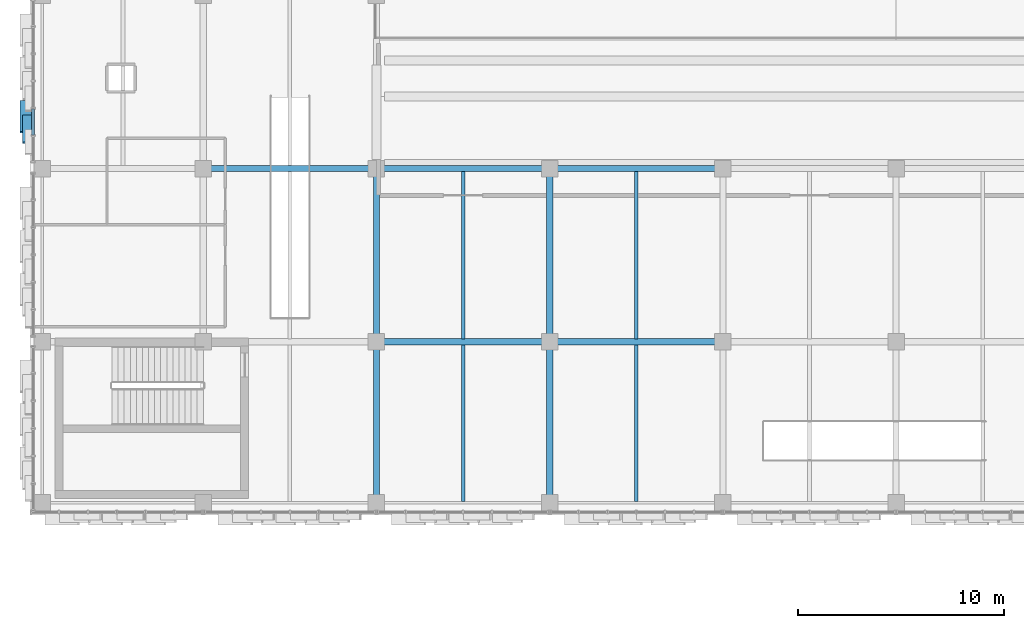
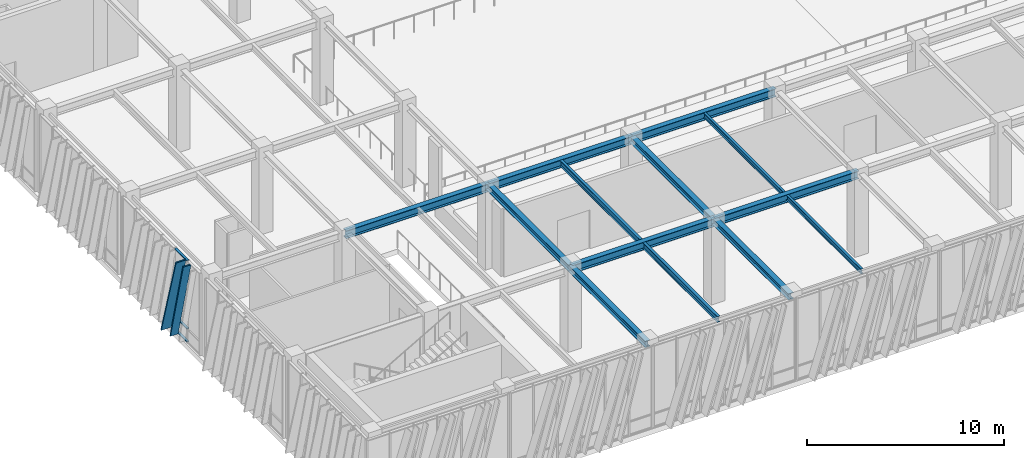
# One storey, part 39 of 139: 13 beams, 5 members, 1 element without a shape of its own.
"""IFC4 building model written with IfcOpenShell, lengths in metres."""

from ifc_helpers import new_model, si_unit, direction, frame, origin, origin_2d, place, context, subcontext, project, spatial, hollow_rectangle, i_section, extrude, material, layer, layer_set, material_profile, profile_set, type_object, element, aggregate, save


model = new_model("IFC4")

# Units and contexts
model_context = context("Model", 3, precision=1e-05, world=origin(), true_north=direction((0.0, 1.0)))
body_context = subcontext(model_context, "Body", "Model", "MODEL_VIEW")
ifc_project = project(units=[si_unit("LENGTHUNIT", "METRE"), si_unit("AREAUNIT", "SQUARE_METRE"), si_unit("VOLUMEUNIT", "CUBIC_METRE"), si_unit("PLANEANGLEUNIT", "RADIAN"), si_unit("MASSUNIT", "GRAM", prefix="KILO")], contexts=[model_context])

# Site, building, storey
site_placement = place(None, origin())
site = spatial("IfcSite", under=ifc_project, at=site_placement, CompositionType="ELEMENT")
building_placement = place(site_placement, origin())
building = spatial("IfcBuilding", under=site, at=building_placement, Name="Zayran Congress Hotel", CompositionType="ELEMENT")
storey_placement = place(building_placement, frame((0.0, 0.0, 5.39990234375)))
storey = spatial("IfcBuildingStorey", under=building, at=storey_placement, Name="L01", CompositionType="ELEMENT", Elevation=5.39990234375)

# Beams
ifc_material_1 = material(Name="Steel S355", Category="steel")
ifc_material_profile_1 = material_profile(ifc_material_1, i_section(OverallWidth=0.300048828125, OverallDepth=0.489990234375, WebThickness=0.011962890625, FlangeThickness=0.02294921875, at=origin_2d()), Name="HEA 500")
ifc_profile_set_1 = profile_set([ifc_material_profile_1], Name="Steel S355")
beam_type_1 = type_object("IfcBeamType", Name="TP-BM-05", PredefinedType="BEAM", material=ifc_profile_set_1)
beam_1_placement = place(storey_placement, frame((25.199951171875, 76.0, 4.835205078125), z_axis=(1.0, 0.0, 0.0), x_axis=(0.0, 1.0, 0.0)))
element("IfcBeam", 1, at=beam_1_placement, inside=storey, type_object=beam_type_1, Name="BM-V1-L01-0525", PredefinedType="BEAM", context=body_context, shape_type="SweptSolid", body=[
    extrude(i_section(OverallWidth=0.300048828125, OverallDepth=0.489990234375, WebThickness=0.011962890625, FlangeThickness=0.02294921875, at=origin_2d()), origin(), (0.0, 0.0, 1.0), 8.400146484375),
])
for number, where, z_axis, x_axis, name in (
    (2, (33.60009765625, 76.0, 4.835205078125), (1.0, 0.0, 0.0), (0.0, 1.0, 0.0), "BM-V1-L01-0526"),
    (3, (16.800048828125, 84.39990234375, 4.835205078125), (1.0, 0.0, 0.0), (0.0, 1.0, 0.0), "BM-V1-L01-0534"),
):
    element("IfcBeam", number, at=place(storey_placement, frame(where, z_axis=z_axis, x_axis=x_axis)), inside=storey, type_object=beam_type_1, Name=name, PredefinedType="BEAM", context=body_context, shape_type="SweptSolid", body=[
        extrude(i_section(OverallWidth=0.300048828125, OverallDepth=0.489990234375, WebThickness=0.011962890625, FlangeThickness=0.02294921875, at=origin_2d()), origin(), (0.0, 0.0, 1.0), 8.39990234375),
    ])
beam_2_placement = place(storey_placement, frame((25.199951171875, 84.39990234375, 4.835205078125), z_axis=(1.0, 0.0, 0.0), x_axis=(0.0, 1.0, 0.0)))
element("IfcBeam", 4, at=beam_2_placement, inside=storey, type_object=beam_type_1, Name="BM-V1-L01-0535", PredefinedType="BEAM", context=body_context, shape_type="SweptSolid", body=[
    extrude(i_section(OverallWidth=0.300048828125, OverallDepth=0.489990234375, WebThickness=0.011962890625, FlangeThickness=0.02294921875, at=origin_2d()), origin(), (0.0, 0.0, 1.0), 8.400146484375),
])
beam_3_placement = place(storey_placement, frame((33.60009765625, 84.39990234375, 4.835205078125), z_axis=(1.0, 0.0, 0.0), x_axis=(0.0, 1.0, 0.0)))
element("IfcBeam", 5, at=beam_3_placement, inside=storey, type_object=beam_type_1, Name="BM-V1-L01-0536", PredefinedType="BEAM", context=body_context, shape_type="SweptSolid", body=[
    extrude(i_section(OverallWidth=0.300048828125, OverallDepth=0.489990234375, WebThickness=0.011962890625, FlangeThickness=0.02294921875, at=origin_2d()), origin(), (0.0, 0.0, 1.0), 8.39990234375),
])
ifc_material_profile_2 = material_profile(ifc_material_1, i_section(OverallWidth=0.300048828125, OverallDepth=0.389892578125, WebThickness=0.010986328125, FlangeThickness=0.01904296875, at=origin_2d()), Name="HEA 400")
ifc_profile_set_2 = profile_set([ifc_material_profile_2], Name="Steel S355")
beam_type_2 = type_object("IfcBeamType", Name="TP-BM-06", PredefinedType="BEAM", material=ifc_profile_set_2)
beam_4_placement = place(storey_placement, frame((25.199951171875, 68.199951171875, 4.885009765625), z_axis=(0.0, 1.0, 0.0), x_axis=(-1.0, 0.0, 0.0)))
element("IfcBeam", 6, at=beam_4_placement, inside=storey, type_object=beam_type_2, Name="BM-V1-L01-0581", PredefinedType="BEAM", context=body_context, shape_type="SweptSolid", body=[
    extrude(i_section(OverallWidth=0.300048828125, OverallDepth=0.389892578125, WebThickness=0.010986328125, FlangeThickness=0.01904296875, at=origin_2d()), origin(), (0.0, 0.0, 1.0), 7.800048828125),
])
beam_5_placement = place(storey_placement, frame((25.199951171875, 76.0, 4.885009765625), z_axis=(0.0, 1.0, 0.0), x_axis=(-1.0, 0.0, 0.0)))
element("IfcBeam", 7, at=beam_5_placement, inside=storey, type_object=beam_type_2, Name="BM-V1-L01-0582", PredefinedType="BEAM", context=body_context, shape_type="SweptSolid", body=[
    extrude(i_section(OverallWidth=0.300048828125, OverallDepth=0.389892578125, WebThickness=0.010986328125, FlangeThickness=0.01904296875, at=origin_2d()), origin(), (0.0, 0.0, 1.0), 8.39990234375),
])
beam_6_placement = place(storey_placement, frame((33.60009765625, 68.199951171875, 4.885009765625), z_axis=(0.0, 1.0, 0.0), x_axis=(-1.0, 0.0, 0.0)))
element("IfcBeam", 8, at=beam_6_placement, inside=storey, type_object=beam_type_2, Name="BM-V1-L01-0587", PredefinedType="BEAM", context=body_context, shape_type="SweptSolid", body=[
    extrude(i_section(OverallWidth=0.300048828125, OverallDepth=0.389892578125, WebThickness=0.010986328125, FlangeThickness=0.01904296875, at=origin_2d()), origin(), (0.0, 0.0, 1.0), 7.800048828125),
])
beam_7_placement = place(storey_placement, frame((33.60009765625, 76.0, 4.885009765625), z_axis=(0.0, 1.0, 0.0), x_axis=(-1.0, 0.0, 0.0)))
element("IfcBeam", 9, at=beam_7_placement, inside=storey, type_object=beam_type_2, Name="BM-V1-L01-0588", PredefinedType="BEAM", context=body_context, shape_type="SweptSolid", body=[
    extrude(i_section(OverallWidth=0.300048828125, OverallDepth=0.389892578125, WebThickness=0.010986328125, FlangeThickness=0.01904296875, at=origin_2d()), origin(), (0.0, 0.0, 1.0), 8.39990234375),
])
ifc_material_profile_3 = material_profile(ifc_material_1, i_section(OverallWidth=0.169921875, OverallDepth=0.360107421875, WebThickness=0.008056640625, FlangeThickness=0.0126953125, at=origin_2d()), Name="IPE 360")
ifc_profile_set_3 = profile_set([ifc_material_profile_3], Name="Steel S355")
beam_type_3 = type_object("IfcBeamType", Name="TP-JS-04", PredefinedType="JOIST", material=ifc_profile_set_3)
beam_8_placement = place(storey_placement, frame((29.39990234375, 68.260009765625, 4.900146484375), z_axis=(0.0, 1.0, 0.0), x_axis=(-1.0, 0.0, 0.0)))
element("IfcBeam", 10, at=beam_8_placement, inside=storey, type_object=beam_type_3, Name="JST-V1-L01-0626", PredefinedType="JOIST", context=body_context, shape_type="SweptSolid", body=[
    extrude(i_section(OverallWidth=0.169921875, OverallDepth=0.360107421875, WebThickness=0.008056640625, FlangeThickness=0.0126953125, at=origin_2d()), origin(), (0.0, 0.0, 1.0), 7.590087890625),
])
beam_9_placement = place(storey_placement, frame((29.39990234375, 76.14990234375, 4.900146484375), z_axis=(0.0, 1.0, 0.0), x_axis=(-1.0, 0.0, 0.0)))
element("IfcBeam", 11, at=beam_9_placement, inside=storey, type_object=beam_type_3, Name="JST-V1-L01-0627", PredefinedType="JOIST", context=body_context, shape_type="SweptSolid", body=[
    extrude(i_section(OverallWidth=0.169921875, OverallDepth=0.360107421875, WebThickness=0.008056640625, FlangeThickness=0.0126953125, at=origin_2d()), origin(), (0.0, 0.0, 1.0), 8.10009765625),
])
ifc_material_profile_4 = material_profile(ifc_material_1, i_section(OverallWidth=0.14990234375, OverallDepth=0.300048828125, WebThickness=0.007080078125, FlangeThickness=0.0107421875, at=origin_2d()), Name="IPE 300")
ifc_profile_set_4 = profile_set([ifc_material_profile_4], Name="Steel S355")
beam_type_4 = type_object("IfcBeamType", Name="TP-JS-05", PredefinedType="JOIST", material=ifc_profile_set_4)
beam_10_placement = place(storey_placement, frame((37.800048828125, 68.260009765625, 4.93017578125), z_axis=(0.0, 1.0, 0.0), x_axis=(-1.0, 0.0, 0.0)))
element("IfcBeam", 12, at=beam_10_placement, inside=storey, type_object=beam_type_4, Name="JST-V1-L01-0629", PredefinedType="JOIST", context=body_context, shape_type="SweptSolid", body=[
    extrude(i_section(OverallWidth=0.14990234375, OverallDepth=0.300048828125, WebThickness=0.007080078125, FlangeThickness=0.0107421875, at=origin_2d()), origin(), (0.0, 0.0, 1.0), 7.590087890625),
])
beam_11_placement = place(storey_placement, frame((37.800048828125, 76.14990234375, 4.93017578125), z_axis=(0.0, 1.0, 0.0), x_axis=(-1.0, 0.0, 0.0)))
element("IfcBeam", 13, at=beam_11_placement, inside=storey, type_object=beam_type_4, Name="JST-V1-L01-0630", PredefinedType="JOIST", context=body_context, shape_type="SweptSolid", body=[
    extrude(i_section(OverallWidth=0.14990234375, OverallDepth=0.300048828125, WebThickness=0.007080078125, FlangeThickness=0.0107421875, at=origin_2d()), origin(), (0.0, 0.0, 1.0), 8.10009765625),
])

# Curtain wall, members
ifc_material_2 = material(Name="Anodised aluminium and low-E insulated glass", Category="aluminium")
ifc_layer = layer(ifc_material_2, 0.179931640625)
ifc_layer_set = layer_set([ifc_layer], Name="Anodised aluminium and low-E insulated glass")
curtain_wall_type = type_object("IfcCurtainWallType", Name="CW-V1W-L01-CW-31-7940-5080", PredefinedType="USERDEFINED", material=ifc_layer_set)
curtain_wall_placement = place(storey_placement, origin())
curtain_wall = element("IfcCurtainWall", 14, at=curtain_wall_placement, inside=storey, type_object=curtain_wall_type, Name="CW-V1W-L01-2", ObjectType="CURTAIN WALL", PredefinedType="USERDEFINED")
ifc_material_3 = material(Name="Anodised aluminium framing", Category="aluminium")
ifc_material_profile_5 = material_profile(ifc_material_3, hollow_rectangle(XDim=0.06005859375, YDim=0.14990234375, WallThickness=0.00390625, at=origin_2d()), Name="RHS 150x60x4")
ifc_profile_set_5 = profile_set([ifc_material_profile_5], Name="Anodised aluminium framing")
member_type_1 = type_object("IfcMemberType", Name="TP-CWT-01", PredefinedType="USERDEFINED", material=ifc_profile_set_5)
member_1_placement = place(storey_placement, frame((8.550048828125, 87.28662109375, 0.030029296875), z_axis=(0.0, -1.0, 0.0), x_axis=(0.0, 0.0, 1.0)))
member_1 = element("IfcMember", 15, at=member_1_placement, type_object=member_type_1, Name="CW-V1W-L01-2-T04-0", ObjectType="TRANSOM", PredefinedType="USERDEFINED", context=body_context, shape_type="SweptSolid", body=[
    extrude(hollow_rectangle(XDim=0.06005859375, YDim=0.14990234375, WallThickness=0.00390625, at=origin_2d()), origin(), (0.0, 0.0, 1.0), 1.243408203125),
])
member_2_placement = place(storey_placement, frame((8.550048828125, 87.28662109375, 0.840087890625), z_axis=(0.0, -1.0, 0.0), x_axis=(0.0, 0.0, 1.0)))
member_2 = element("IfcMember", 16, at=member_2_placement, type_object=member_type_1, Name="CW-V1W-L01-2-T04-1", ObjectType="TRANSOM", PredefinedType="USERDEFINED", context=body_context, shape_type="SweptSolid", body=[
    extrude(hollow_rectangle(XDim=0.06005859375, YDim=0.14990234375, WallThickness=0.00390625, at=origin_2d()), origin(), (0.0, 0.0, 1.0), 1.243408203125),
])
member_3_placement = place(storey_placement, frame((8.550048828125, 87.28662109375, 5.050048828125), z_axis=(0.0, -1.0, 0.0), x_axis=(0.0, 0.0, 1.0)))
member_3 = element("IfcMember", 17, at=member_3_placement, type_object=member_type_1, Name="CW-V1W-L01-2-T04-2", ObjectType="TRANSOM", PredefinedType="USERDEFINED", context=body_context, shape_type="SweptSolid", body=[
    extrude(hollow_rectangle(XDim=0.06005859375, YDim=0.14990234375, WallThickness=0.00390625, at=origin_2d()), origin(), (0.0, 0.0, 1.0), 1.243408203125),
])
ifc_material_4 = material(Name="Warm bronze anodised aluminium", Category="aluminium")
ifc_material_profile_6 = material_profile(ifc_material_4, hollow_rectangle(XDim=0.080078125, YDim=0.580078125, WallThickness=0.006103515625, at=origin_2d()), Name="RHS 580x80x6")
ifc_profile_set_6 = profile_set([ifc_material_profile_6], Name="Warm bronze anodised aluminium")
member_type_2 = type_object("IfcMemberType", Name="TP-RFN-01", PredefinedType="MULLION", material=ifc_profile_set_6)
member_4_placement = place(storey_placement, frame((8.199951171875, 87.669921875, 0.0), z_axis=(0.0, -0.283989486251, 0.958827394112), x_axis=(0.0, 0.958827394112, 0.283989486251)))
member_4 = element("IfcMember", 18, at=member_4_placement, type_object=member_type_2, Name="Slanting Reed Mullion CW-31-07", PredefinedType="MULLION", context=body_context, shape_type="SweptSolid", body=[
    extrude(hollow_rectangle(XDim=0.080078125, YDim=0.580078125, WallThickness=0.006103515625, at=origin_2d()), origin(), (0.0, 0.0, 1.0), 5.29833984375),
])
ifc_material_profile_7 = material_profile(ifc_material_4, hollow_rectangle(XDim=0.080078125, YDim=0.449951171875, WallThickness=0.006103515625, at=origin_2d()), Name="RHS 450x80x6")
ifc_profile_set_7 = profile_set([ifc_material_profile_7], Name="Warm bronze anodised aluminium")
member_type_3 = type_object("IfcMemberType", Name="TP-RFN-02", PredefinedType="MULLION", material=ifc_profile_set_7)
member_5_placement = place(storey_placement, frame((8.264892578125, 86.969970703125, 0.0), z_axis=(0.0, -0.250366279854, 0.968151189594), x_axis=(0.0, 0.968151189594, 0.250366279854)))
member_5 = element("IfcMember", 19, at=member_5_placement, type_object=member_type_3, Name="Slanting Reed Mullion CW-31-08", PredefinedType="MULLION", context=body_context, shape_type="SweptSolid", body=[
    extrude(hollow_rectangle(XDim=0.080078125, YDim=0.449951171875, WallThickness=0.006103515625, at=origin_2d()), origin(), (0.0, 0.0, 1.0), 5.247314453125),
])
aggregate(curtain_wall, [member_1, member_2, member_3, member_4, member_5])

save(model, "model.ifc")
